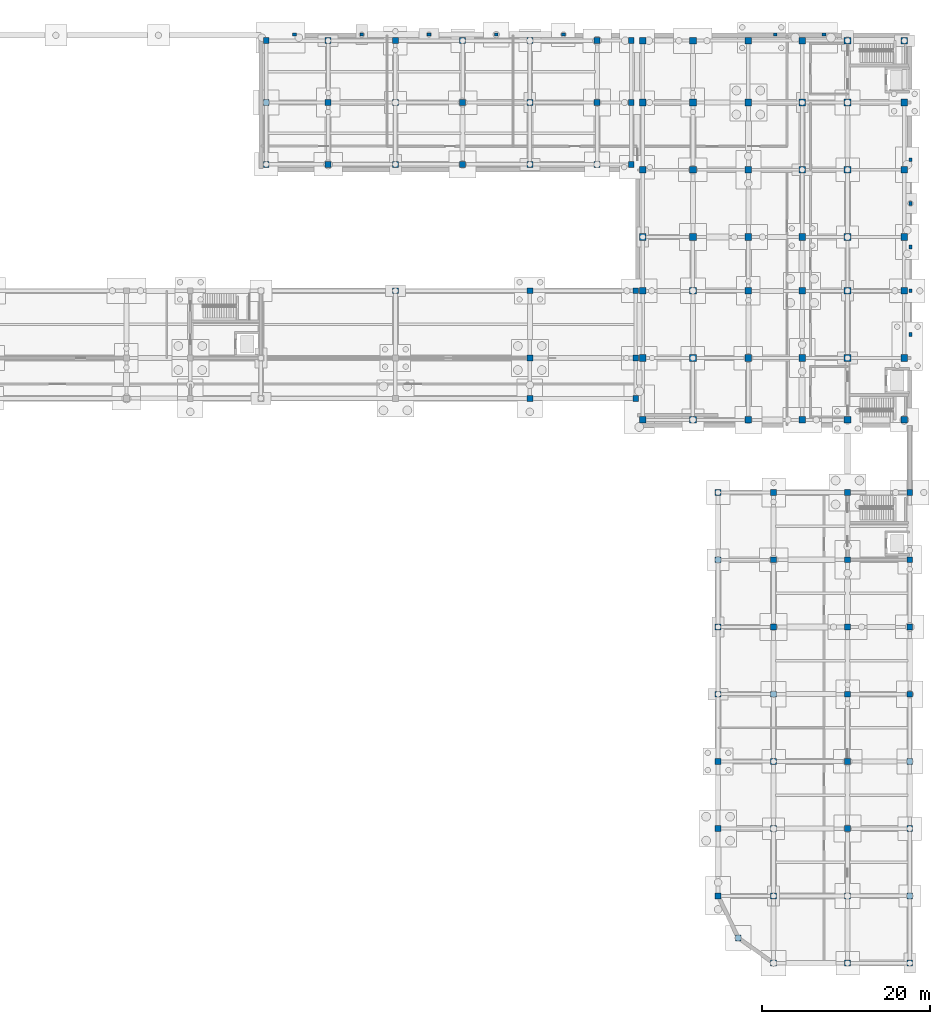
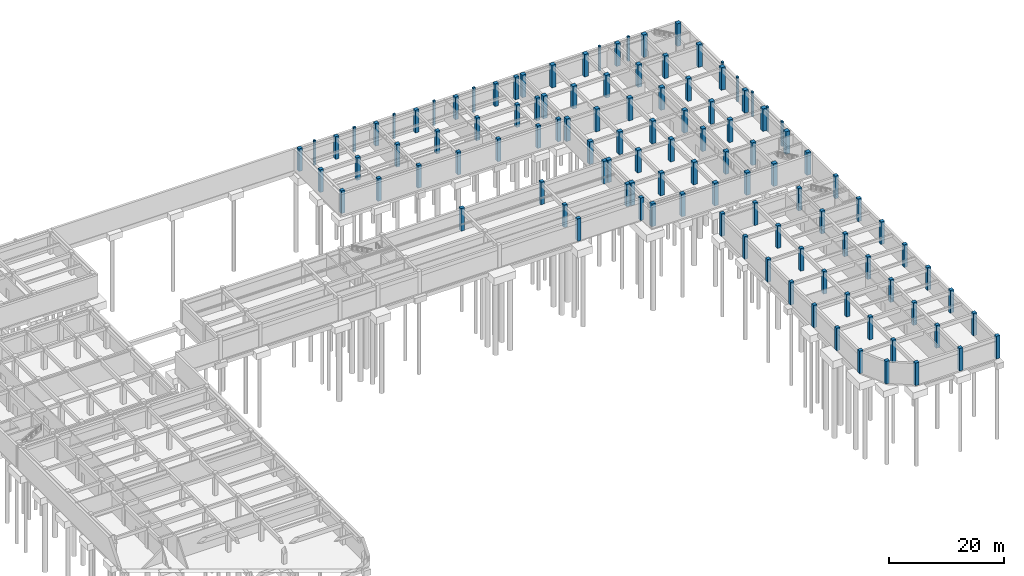
# One storey, part 15 of 35: 114 columns.
"""IFC4 building model written with IfcOpenShell, lengths in metres."""

from ifc_helpers import new_model, si_unit, direction, frame, origin, origin_2d, place, context, subcontext, project, spatial, rectangle, extrude, material, material_profile, profile_set, type_object, element, save


model = new_model("IFC4")

# Units and contexts
model_context = context("Model", 3, precision=1e-05, world=origin(), true_north=direction((0.0, 1.0)))
body_context = subcontext(model_context, "Body", "Model", "MODEL_VIEW")
ifc_project = project(units=[si_unit("LENGTHUNIT", "METRE"), si_unit("AREAUNIT", "SQUARE_METRE"), si_unit("VOLUMEUNIT", "CUBIC_METRE"), si_unit("PLANEANGLEUNIT", "RADIAN"), si_unit("MASSUNIT", "GRAM", prefix="KILO")], contexts=[model_context])

# Site, building, storey
site_placement = place(None, origin())
site = spatial("IfcSite", under=ifc_project, at=site_placement, CompositionType="ELEMENT")
building_placement = place(site_placement, origin())
building = spatial("IfcBuilding", under=site, at=building_placement, Name="Cinchona Park Media Centre", CompositionType="ELEMENT")
storey_placement = place(building_placement, frame((0.0, 0.0, -4.800048828125)))
storey = spatial("IfcBuildingStorey", under=building, at=storey_placement, Name="B1", CompositionType="ELEMENT", Elevation=-4.800048828125)

# Columns
ifc_material_1 = material(Name="Concrete C40/50", Category="concrete")
ifc_material_profile_1 = material_profile(ifc_material_1, rectangle(XDim=0.800048828125, YDim=0.800048828125, at=origin_2d()), Name="RC 800X800")
ifc_profile_set_1 = profile_set([ifc_material_profile_1], Name="Concrete C40/50")
column_type_1 = type_object("IfcColumnType", Name="COL-C01-RC800X800", PredefinedType="COLUMN", material=ifc_profile_set_1)
for number, where, z_axis, x_axis, name in (
    (1, (140.239990234375, 72.239990234375, 0.0), (0.0, 0.0, 1.0), (1.0, 0.0, 0.0), "Column C01 B1"),
    (2, (140.239990234375, 79.60009765625, 0.0), (0.0, 0.0, 1.0), (1.0, 0.0, 0.0), "Column C01 B1"),
    (3, (140.239990234375, 87.60009765625, 0.0), (0.0, 0.0, 1.0), (1.0, 0.0, 0.0), "Column C01 B1"),
    (4, (140.239990234375, 94.0, 0.0), (0.0, 0.0, 1.0), (1.0, 0.0, 0.0), "Column C01 B1"),
    (5, (140.239990234375, 102.0, 0.0), (0.0, 0.0, 1.0), (1.0, 0.0, 0.0), "Column C01 B1"),
    (6, (140.239990234375, 110.0, 0.0), (0.0, 0.0, 1.0), (1.0, 0.0, 0.0), "Column C01 B1"),
    (7, (140.239990234375, 117.360107421875, 0.0), (0.0, 0.0, 1.0), (1.0, 0.0, 0.0), "Column C01 B1"),
    (8, (146.199951171875, 72.239990234375, 0.0), (0.0, 0.0, 1.0), (1.0, 0.0, 0.0), "Column C01 B1"),
    (9, (146.199951171875, 79.60009765625, 0.0), (0.0, 0.0, 1.0), (1.0, 0.0, 0.0), "Column C01 B1"),
    (10, (146.199951171875, 87.60009765625, 0.0), (0.0, 0.0, 1.0), (1.0, 0.0, 0.0), "Column C01 B1"),
    (11, (146.199951171875, 94.0, 0.0), (0.0, 0.0, 1.0), (1.0, 0.0, 0.0), "Column C01 B1"),
    (12, (146.199951171875, 102.0, 0.0), (0.0, 0.0, 1.0), (1.0, 0.0, 0.0), "Column C01 B1"),
    (13, (146.199951171875, 110.0, 0.0), (0.0, 0.0, 1.0), (1.0, 0.0, 0.0), "Column C01 B1"),
    (14, (146.199951171875, 117.360107421875, 0.0), (0.0, 0.0, 1.0), (1.0, 0.0, 0.0), "Column C01 B1"),
    (15, (152.800048828125, 72.239990234375, 0.0), (0.0, 0.0, 1.0), (1.0, 0.0, 0.0), "Column C01 B1"),
    (16, (152.800048828125, 79.60009765625, 0.0), (0.0, 0.0, 1.0), (1.0, 0.0, 0.0), "Column C01 B1"),
    (17, (152.800048828125, 87.60009765625, 0.0), (0.0, 0.0, 1.0), (1.0, 0.0, 0.0), "Column C01 B1"),
    (18, (152.800048828125, 94.0, 0.0), (0.0, 0.0, 1.0), (1.0, 0.0, 0.0), "Column C01 B1"),
    (19, (152.800048828125, 102.0, 0.0), (0.0, 0.0, 1.0), (1.0, 0.0, 0.0), "Column C01 B1"),
    (20, (152.800048828125, 110.0, 0.0), (0.0, 0.0, 1.0), (1.0, 0.0, 0.0), "Column C01 B1"),
    (21, (152.800048828125, 117.360107421875, 0.0), (0.0, 0.0, 1.0), (1.0, 0.0, 0.0), "Column C01 B1"),
    (22, (159.199951171875, 72.239990234375, 0.0), (0.0, 0.0, 1.0), (1.0, 0.0, 0.0), "Column C01 B1"),
    (23, (159.199951171875, 79.60009765625, 0.0), (0.0, 0.0, 1.0), (1.0, 0.0, 0.0), "Column C01 B1"),
    (24, (159.199951171875, 87.60009765625, 0.0), (0.0, 0.0, 1.0), (1.0, 0.0, 0.0), "Column C01 B1"),
    (25, (159.199951171875, 94.0, 0.0), (0.0, 0.0, 1.0), (1.0, 0.0, 0.0), "Column C01 B1"),
    (26, (159.199951171875, 102.0, 0.0), (0.0, 0.0, 1.0), (1.0, 0.0, 0.0), "Column C01 B1"),
    (27, (159.199951171875, 110.0, 0.0), (0.0, 0.0, 1.0), (1.0, 0.0, 0.0), "Column C01 B1"),
    (28, (159.199951171875, 117.360107421875, 0.0), (0.0, 0.0, 1.0), (1.0, 0.0, 0.0), "Column C01 B1"),
    (29, (164.60009765625, 72.239990234375, 0.0), (0.0, 0.0, 1.0), (1.0, 0.0, 0.0), "Column C01 B1"),
    (30, (164.60009765625, 79.60009765625, 0.0), (0.0, 0.0, 1.0), (1.0, 0.0, 0.0), "Column C01 B1"),
    (31, (164.60009765625, 87.60009765625, 0.0), (0.0, 0.0, 1.0), (1.0, 0.0, 0.0), "Column C01 B1"),
    (32, (164.60009765625, 94.0, 0.0), (0.0, 0.0, 1.0), (1.0, 0.0, 0.0), "Column C01 B1"),
    (33, (164.60009765625, 102.0, 0.0), (0.0, 0.0, 1.0), (1.0, 0.0, 0.0), "Column C01 B1"),
    (34, (164.60009765625, 110.0, 0.0), (0.0, 0.0, 1.0), (1.0, 0.0, 0.0), "Column C01 B1"),
    (35, (164.60009765625, 117.360107421875, 0.0), (0.0, 0.0, 1.0), (1.0, 0.0, 0.0), "Column C01 B1"),
    (36, (171.360107421875, 72.239990234375, 0.0), (0.0, 0.0, 1.0), (1.0, 0.0, 0.0), "Column C01 B1"),
    (37, (171.360107421875, 79.60009765625, 0.0), (0.0, 0.0, 1.0), (1.0, 0.0, 0.0), "Column C01 B1"),
    (38, (171.360107421875, 87.60009765625, 0.0), (0.0, 0.0, 1.0), (1.0, 0.0, 0.0), "Column C01 B1"),
    (39, (171.360107421875, 94.0, 0.0), (0.0, 0.0, 1.0), (1.0, 0.0, 0.0), "Column C01 B1"),
    (40, (171.360107421875, 102.0, 0.0), (0.0, 0.0, 1.0), (1.0, 0.0, 0.0), "Column C01 B1"),
    (41, (171.360107421875, 110.0, 0.0), (0.0, 0.0, 1.0), (1.0, 0.0, 0.0), "Column C01 B1"),
    (42, (171.360107421875, 117.360107421875, 0.0), (0.0, 0.0, 1.0), (1.0, 0.0, 0.0), "Column C01 B1"),
):
    element("IfcColumn", number, at=place(storey_placement, frame(where, z_axis=z_axis, x_axis=x_axis)), inside=storey, type_object=column_type_1, Name=name, PredefinedType="COLUMN", context=body_context, shape_type="SweptSolid", body=[
        extrude(rectangle(XDim=0.800048828125, YDim=0.800048828125, at=origin_2d()), origin(), (0.0, 0.0, 1.0), 4.800048828125),
    ])
ifc_material_2 = material(Name="Concrete C40/50", Category="concrete")
ifc_material_profile_2 = material_profile(ifc_material_2, rectangle(XDim=0.699951171875, YDim=0.699951171875, at=origin_2d()), Name="RC 700X700")
ifc_profile_set_2 = profile_set([ifc_material_profile_2], Name="Concrete C40/50")
column_type_2 = type_object("IfcColumnType", Name="COL-C02-RC700X700", PredefinedType="COLUMN", material=ifc_profile_set_2)
for number, where, z_axis, x_axis, name in (
    (43, (95.43994140625, 102.639892578125, 0.0), (0.0, 0.0, 1.0), (1.0, 0.0, 0.0), "Column C02 B1"),
    (44, (95.43994140625, 110.0, 0.0), (0.0, 0.0, 1.0), (1.0, 0.0, 0.0), "Column C02 B1"),
    (45, (95.43994140625, 117.360107421875, 0.0), (0.0, 0.0, 1.0), (1.0, 0.0, 0.0), "Column C02 B1"),
    (46, (102.800048828125, 102.639892578125, 0.0), (0.0, 0.0, 1.0), (1.0, 0.0, 0.0), "Column C02 B1"),
    (47, (102.800048828125, 110.0, 0.0), (0.0, 0.0, 1.0), (1.0, 0.0, 0.0), "Column C02 B1"),
    (48, (102.800048828125, 117.360107421875, 0.0), (0.0, 0.0, 1.0), (1.0, 0.0, 0.0), "Column C02 B1"),
    (49, (110.800048828125, 102.639892578125, 0.0), (0.0, 0.0, 1.0), (1.0, 0.0, 0.0), "Column C02 B1"),
    (50, (110.800048828125, 110.0, 0.0), (0.0, 0.0, 1.0), (1.0, 0.0, 0.0), "Column C02 B1"),
    (51, (110.800048828125, 117.360107421875, 0.0), (0.0, 0.0, 1.0), (1.0, 0.0, 0.0), "Column C02 B1"),
    (52, (118.800048828125, 102.639892578125, 0.0), (0.0, 0.0, 1.0), (1.0, 0.0, 0.0), "Column C02 B1"),
    (53, (118.800048828125, 110.0, 0.0), (0.0, 0.0, 1.0), (1.0, 0.0, 0.0), "Column C02 B1"),
    (54, (118.800048828125, 117.360107421875, 0.0), (0.0, 0.0, 1.0), (1.0, 0.0, 0.0), "Column C02 B1"),
    (55, (126.800048828125, 102.639892578125, 0.0), (0.0, 0.0, 1.0), (1.0, 0.0, 0.0), "Column C02 B1"),
    (56, (126.800048828125, 110.0, 0.0), (0.0, 0.0, 1.0), (1.0, 0.0, 0.0), "Column C02 B1"),
    (57, (126.800048828125, 117.360107421875, 0.0), (0.0, 0.0, 1.0), (1.0, 0.0, 0.0), "Column C02 B1"),
    (58, (134.800048828125, 102.639892578125, 0.0), (0.0, 0.0, 1.0), (1.0, 0.0, 0.0), "Column C02 B1"),
    (59, (134.800048828125, 110.0, 0.0), (0.0, 0.0, 1.0), (1.0, 0.0, 0.0), "Column C02 B1"),
    (60, (134.800048828125, 117.360107421875, 0.0), (0.0, 0.0, 1.0), (1.0, 0.0, 0.0), "Column C02 B1"),
    (61, (138.860107421875, 102.639892578125, 0.0), (0.0, 0.0, 1.0), (1.0, 0.0, 0.0), "Column C02 B1"),
    (62, (138.860107421875, 110.0, 0.0), (0.0, 0.0, 1.0), (1.0, 0.0, 0.0), "Column C02 B1"),
    (63, (138.860107421875, 117.360107421875, 0.0), (0.0, 0.0, 1.0), (1.0, 0.0, 0.0), "Column C02 B1"),
    (64, (110.800048828125, 87.60009765625, 0.0), (0.0, 0.0, 1.0), (1.0, 0.0, 0.0), "Column C02 B1"),
    (65, (126.800048828125, 74.800048828125, 0.0), (0.0, 0.0, 1.0), (1.0, 0.0, 0.0), "Column C02 B1"),
    (66, (126.800048828125, 79.60009765625, 0.0), (0.0, 0.0, 1.0), (1.0, 0.0, 0.0), "Column C02 B1"),
    (67, (126.800048828125, 87.60009765625, 0.0), (0.0, 0.0, 1.0), (1.0, 0.0, 0.0), "Column C02 B1"),
    (68, (139.39990234375, 74.800048828125, 0.0), (0.0, 0.0, 1.0), (1.0, 0.0, 0.0), "Column C02 B1"),
    (69, (139.39990234375, 79.60009765625, 0.0), (0.0, 0.0, 1.0), (1.0, 0.0, 0.0), "Column C02 B1"),
    (70, (139.39990234375, 87.60009765625, 0.0), (0.0, 0.0, 1.0), (1.0, 0.0, 0.0), "Column C02 B1"),
    (71, (149.199951171875, 15.60009765625, 0.0), (0.0, 0.0, 1.0), (1.0, 0.0, 0.0), "Column C02 B1"),
    (72, (149.199951171875, 23.60009765625, 0.0), (0.0, 0.0, 1.0), (1.0, 0.0, 0.0), "Column C02 B1"),
    (73, (149.199951171875, 31.60009765625, 0.0), (0.0, 0.0, 1.0), (1.0, 0.0, 0.0), "Column C02 B1"),
    (74, (149.199951171875, 39.60009765625, 0.0), (0.0, 0.0, 1.0), (1.0, 0.0, 0.0), "Column C02 B1"),
    (75, (149.199951171875, 47.60009765625, 0.0), (0.0, 0.0, 1.0), (1.0, 0.0, 0.0), "Column C02 B1"),
    (76, (149.199951171875, 55.60009765625, 0.0), (0.0, 0.0, 1.0), (1.0, 0.0, 0.0), "Column C02 B1"),
    (77, (149.199951171875, 63.60009765625, 0.0), (0.0, 0.0, 1.0), (1.0, 0.0, 0.0), "Column C02 B1"),
    (78, (151.60009765625, 10.60009765625, 0.0), (0.0, 0.0, 1.0), (1.0, 0.0, 0.0), "Column C02 B1"),
    (79, (155.800048828125, 7.60009765625, 0.0), (0.0, 0.0, 1.0), (1.0, 0.0, 0.0), "Column C02 B1"),
    (80, (155.800048828125, 15.60009765625, 0.0), (0.0, 0.0, 1.0), (1.0, 0.0, 0.0), "Column C02 B1"),
    (81, (155.800048828125, 23.60009765625, 0.0), (0.0, 0.0, 1.0), (1.0, 0.0, 0.0), "Column C02 B1"),
    (82, (155.800048828125, 31.60009765625, 0.0), (0.0, 0.0, 1.0), (1.0, 0.0, 0.0), "Column C02 B1"),
    (83, (155.800048828125, 39.60009765625, 0.0), (0.0, 0.0, 1.0), (1.0, 0.0, 0.0), "Column C02 B1"),
    (84, (155.800048828125, 47.60009765625, 0.0), (0.0, 0.0, 1.0), (1.0, 0.0, 0.0), "Column C02 B1"),
    (85, (155.800048828125, 55.60009765625, 0.0), (0.0, 0.0, 1.0), (1.0, 0.0, 0.0), "Column C02 B1"),
    (86, (155.800048828125, 63.60009765625, 0.0), (0.0, 0.0, 1.0), (1.0, 0.0, 0.0), "Column C02 B1"),
    (87, (164.60009765625, 7.60009765625, 0.0), (0.0, 0.0, 1.0), (1.0, 0.0, 0.0), "Column C02 B1"),
    (88, (164.60009765625, 15.60009765625, 0.0), (0.0, 0.0, 1.0), (1.0, 0.0, 0.0), "Column C02 B1"),
    (89, (164.60009765625, 23.60009765625, 0.0), (0.0, 0.0, 1.0), (1.0, 0.0, 0.0), "Column C02 B1"),
    (90, (164.60009765625, 31.60009765625, 0.0), (0.0, 0.0, 1.0), (1.0, 0.0, 0.0), "Column C02 B1"),
    (91, (164.60009765625, 39.60009765625, 0.0), (0.0, 0.0, 1.0), (1.0, 0.0, 0.0), "Column C02 B1"),
    (92, (164.60009765625, 47.60009765625, 0.0), (0.0, 0.0, 1.0), (1.0, 0.0, 0.0), "Column C02 B1"),
    (93, (164.60009765625, 55.60009765625, 0.0), (0.0, 0.0, 1.0), (1.0, 0.0, 0.0), "Column C02 B1"),
    (94, (164.60009765625, 63.60009765625, 0.0), (0.0, 0.0, 1.0), (1.0, 0.0, 0.0), "Column C02 B1"),
    (95, (172.0, 7.60009765625, 0.0), (0.0, 0.0, 1.0), (1.0, 0.0, 0.0), "Column C02 B1"),
    (96, (172.0, 15.60009765625, 0.0), (0.0, 0.0, 1.0), (1.0, 0.0, 0.0), "Column C02 B1"),
    (97, (172.0, 23.60009765625, 0.0), (0.0, 0.0, 1.0), (1.0, 0.0, 0.0), "Column C02 B1"),
    (98, (172.0, 31.60009765625, 0.0), (0.0, 0.0, 1.0), (1.0, 0.0, 0.0), "Column C02 B1"),
    (99, (172.0, 39.60009765625, 0.0), (0.0, 0.0, 1.0), (1.0, 0.0, 0.0), "Column C02 B1"),
    (100, (172.0, 47.60009765625, 0.0), (0.0, 0.0, 1.0), (1.0, 0.0, 0.0), "Column C02 B1"),
    (101, (172.0, 55.60009765625, 0.0), (0.0, 0.0, 1.0), (1.0, 0.0, 0.0), "Column C02 B1"),
    (102, (172.0, 63.60009765625, 0.0), (0.0, 0.0, 1.0), (1.0, 0.0, 0.0), "Column C02 B1"),
):
    element("IfcColumn", number, at=place(storey_placement, frame(where, z_axis=z_axis, x_axis=x_axis)), inside=storey, type_object=column_type_2, Name=name, PredefinedType="COLUMN", context=body_context, shape_type="SweptSolid", body=[
        extrude(rectangle(XDim=0.699951171875, YDim=0.699951171875, at=origin_2d()), origin(), (0.0, 0.0, 1.0), 4.800048828125),
    ])
ifc_material_3 = material(Name="Concrete C40/50", Category="concrete")
ifc_material_profile_3 = material_profile(ifc_material_3, rectangle(XDim=0.35009765625, YDim=0.449951171875, at=origin_2d()), Name="RC 350X450")
ifc_profile_set_3 = profile_set([ifc_material_profile_3], Name="Concrete C40/50")
column_type_3 = type_object("IfcColumnType", Name="COL-CP01-RC350X450", PredefinedType="PILASTER", material=ifc_profile_set_3)
for number, where, z_axis, x_axis, name in (
    (103, (98.800048828125, 118.080078125, -0.5), (0.0, 0.0, 1.0), (0.0, 1.0, 0.0), "Pilaster CP01 B1"),
    (104, (106.800048828125, 118.080078125, -0.5), (0.0, 0.0, 1.0), (0.0, 1.0, 0.0), "Pilaster CP01 B1"),
    (105, (114.800048828125, 118.080078125, -0.5), (0.0, 0.0, 1.0), (0.0, 1.0, 0.0), "Pilaster CP01 B1"),
    (106, (122.800048828125, 118.080078125, -0.5), (0.0, 0.0, 1.0), (0.0, 1.0, 0.0), "Pilaster CP01 B1"),
    (107, (130.800048828125, 118.080078125, -0.5), (0.0, 0.0, 1.0), (0.0, 1.0, 0.0), "Pilaster CP01 B1"),
):
    element("IfcColumn", number, at=place(storey_placement, frame(where, z_axis=z_axis, x_axis=x_axis)), inside=storey, type_object=column_type_3, Name=name, PredefinedType="PILASTER", context=body_context, shape_type="SweptSolid", body=[
        extrude(rectangle(XDim=0.35009765625, YDim=0.449951171875, at=origin_2d()), origin(), (0.0, 0.0, 1.0), 5.300048828125),
    ])
for number, where, z_axis, x_axis, name in (
    (108, (172.080078125, 82.39990234375, -0.47998046875), (0.0, 0.0, 1.0), (1.0, 0.0, 0.0), "Pilaster CP01 B1"),
    (109, (172.080078125, 87.60009765625, -0.47998046875), (0.0, 0.0, 1.0), (1.0, 0.0, 0.0), "Pilaster CP01 B1"),
    (110, (172.080078125, 92.800048828125, -0.47998046875), (0.0, 0.0, 1.0), (1.0, 0.0, 0.0), "Pilaster CP01 B1"),
    (111, (172.080078125, 98.0, -0.47998046875), (0.0, 0.0, 1.0), (1.0, 0.0, 0.0), "Pilaster CP01 B1"),
    (112, (172.080078125, 103.199951171875, -0.47998046875), (0.0, 0.0, 1.0), (1.0, 0.0, 0.0), "Pilaster CP01 B1"),
    (113, (156.0, 118.080078125, -0.47998046875), (0.0, 0.0, 1.0), (0.0, 1.0, 0.0), "Pilaster CP01 B1"),
    (114, (161.800048828125, 118.080078125, -0.47998046875), (0.0, 0.0, 1.0), (0.0, 1.0, 0.0), "Pilaster CP01 B1"),
):
    element("IfcColumn", number, at=place(storey_placement, frame(where, z_axis=z_axis, x_axis=x_axis)), inside=storey, type_object=column_type_3, Name=name, PredefinedType="PILASTER", context=body_context, shape_type="SweptSolid", body=[
        extrude(rectangle(XDim=0.35009765625, YDim=0.449951171875, at=origin_2d()), origin(), (0.0, 0.0, 1.0), 5.280029296875),
    ])

save(model, "model.ifc")
